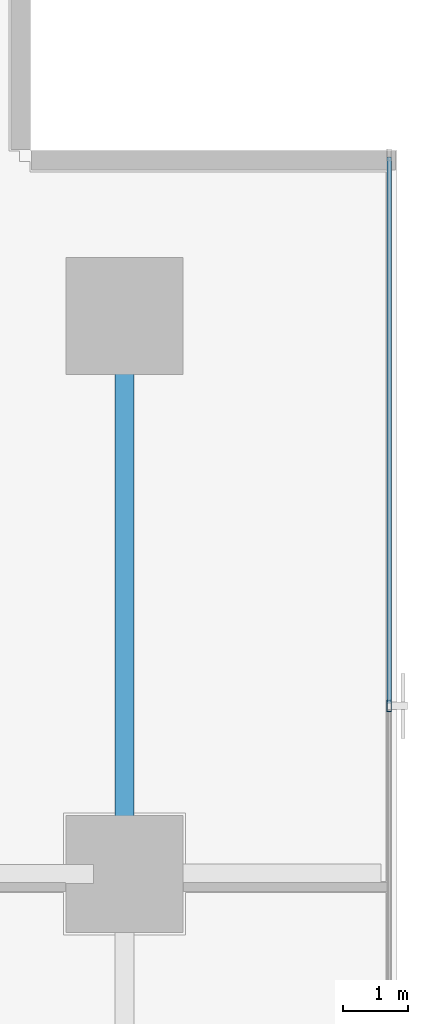
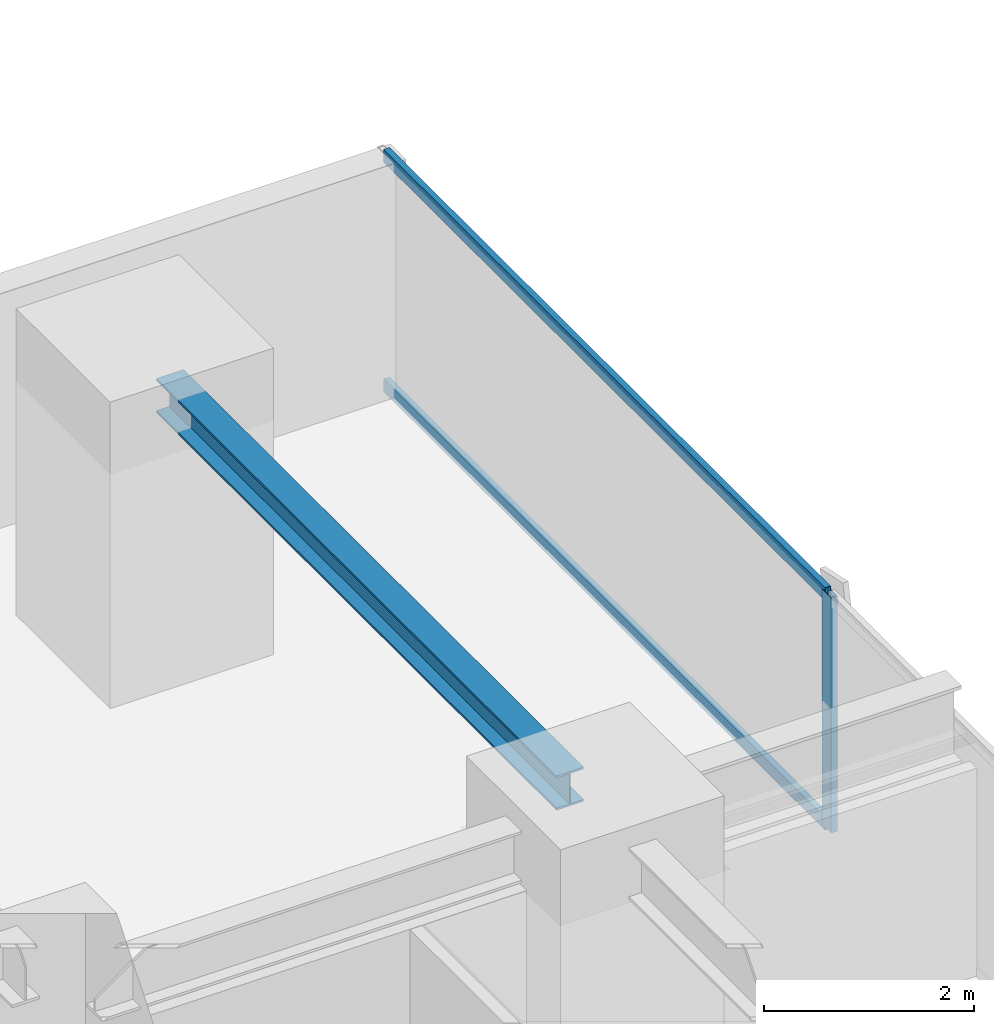
# One storey, part 21 of 34: 3 members, 1 beam, 1 element without a shape of its own.
"""IFC4 building model written with IfcOpenShell, lengths in metres."""

from ifc_helpers import new_model, si_unit, direction, frame, origin, origin_2d, place, context, subcontext, project, spatial, hollow_rectangle, i_section, extrude, source, transform, mapped, material, layer, layer_set, material_profile, profile_set, type_object, element, aggregate, save


model = new_model("IFC4")

# Units and contexts
model_context = context("Model", 3, precision=1e-05, world=origin(), true_north=direction((0.0, 1.0)))
body_context = subcontext(model_context, "Body", "Model", "MODEL_VIEW")
ifc_project = project(units=[si_unit("LENGTHUNIT", "METRE"), si_unit("AREAUNIT", "SQUARE_METRE"), si_unit("VOLUMEUNIT", "CUBIC_METRE"), si_unit("PLANEANGLEUNIT", "RADIAN"), si_unit("MASSUNIT", "GRAM", prefix="KILO")], contexts=[model_context])

# Site, building, storey
site_placement = place(None, origin())
site = spatial("IfcSite", under=ifc_project, at=site_placement, CompositionType="ELEMENT")
building_placement = place(site_placement, origin())
building = spatial("IfcBuilding", under=site, at=building_placement, Name="Sumidabori Civic Tower", CompositionType="ELEMENT")
storey_placement = place(building_placement, frame((0.0, 0.0, 34.39990234375)))
storey = spatial("IfcBuildingStorey", under=building, at=storey_placement, Name="L08", CompositionType="ELEMENT", Elevation=34.39990234375)

# Beam
ifc_material_1 = material(Name="Steel SN490", Category="steel")
ifc_material_profile_1 = material_profile(ifc_material_1, i_section(OverallWidth=0.300048828125, OverallDepth=0.39990234375, WebThickness=0.013427734375, FlangeThickness=0.02392578125, at=origin_2d()), Name="HE 400 B")
ifc_profile_set_1 = profile_set([ifc_material_profile_1], Name="Steel SN490")
beam_type = type_object("IfcBeamType", Name="BM-GIRD-400", PredefinedType="BEAM", material=ifc_profile_set_1)
shared_shape_1 = source(origin(), body_context, "Body", "SweptSolid", [
    extrude(i_section(OverallWidth=0.300048828125, OverallDepth=0.39990234375, WebThickness=0.013427734375, FlangeThickness=0.02392578125, at=origin_2d()), origin(), (0.0, 0.0, 1.0), 7.64013671875),
])
beam_placement = place(storey_placement, frame((22.800048828125, 10.679931640625, 3.16015625), z_axis=(0.0, 1.0, 0.0), x_axis=(-1.0, 0.0, 0.0)))
element("IfcBeam", 1, at=beam_placement, inside=storey, type_object=beam_type, Name="Primary Girder L08 GY-42", PredefinedType="BEAM", context=body_context, shape_type="MappedRepresentation", body=[
    mapped(shared_shape_1, transform((0.0, 0.0, 0.0), x_axis=(1.0, 0.0, 0.0), y_axis=(0.0, 1.0, 0.0), z_axis=(0.0, 0.0, 1.0), scale=1.0)),
])

# Curtain wall, members
ifc_material_2 = material(Name="Anodised Bronze Aluminium AW-6063-T6", Category="aluminium")
ifc_layer = layer(ifc_material_2, 0.179931640625, Name="Anodised Bronze Aluminium AW-6063-T6")
ifc_layer_set = layer_set([ifc_layer], Name="Anodised Bronze Aluminium AW-6063-T6")
curtain_wall_type = type_object("IfcCurtainWallType", Name="CW-SYS-2", PredefinedType="NOTDEFINED", material=ifc_layer_set)
curtain_wall_placement = place(storey_placement, origin())
curtain_wall = element("IfcCurtainWall", 2, at=curtain_wall_placement, inside=storey, type_object=curtain_wall_type, Name="Curtain Wall CW:L08:R04", PredefinedType="NOTDEFINED")
ifc_material_profile_2 = material_profile(ifc_material_2, hollow_rectangle(XDim=0.070068359375, YDim=0.179931640625, WallThickness=0.006103515625, at=origin_2d()), Name="ALU MULLION 180x70")
ifc_profile_set_2 = profile_set([ifc_material_profile_2], Name="Anodised Bronze Aluminium AW-6063-T6")
member_type_1 = type_object("IfcMemberType", Name="CW-MUL-180", PredefinedType="MULLION", material=ifc_profile_set_2)
shared_shape_2 = source(origin(), body_context, "Body", "SweptSolid", [
    extrude(hollow_rectangle(XDim=0.070068359375, YDim=0.179931640625, WallThickness=0.006103515625, at=origin_2d()), origin(), (0.0, 0.0, 1.0), 2.739990234375),
])
member_1_placement = place(storey_placement, frame((26.8798828125, 12.7919921875, 0.0), z_axis=(0.0, 0.0, 1.0), x_axis=(-1.0, 0.0, 0.0)))
member_1 = element("IfcMember", 3, at=member_1_placement, type_object=member_type_1, Name="CW-2 mullion 5", PredefinedType="MULLION", context=body_context, shape_type="MappedRepresentation", body=[
    mapped(shared_shape_2, transform((0.0, 0.0, 0.0), x_axis=(1.0, 0.0, 0.0), y_axis=(0.0, 1.0, 0.0), z_axis=(0.0, 0.0, 1.0), scale=1.0)),
])
ifc_material_profile_3 = material_profile(ifc_material_2, hollow_rectangle(XDim=0.06494140625, YDim=0.14990234375, WallThickness=0.0048828125, at=origin_2d()), Name="ALU TRANSOM 150x65")
ifc_profile_set_3 = profile_set([ifc_material_profile_3], Name="Anodised Bronze Aluminium AW-6063-T6")
member_type_2 = type_object("IfcMemberType", Name="CW-TRN-150", PredefinedType="USERDEFINED", material=ifc_profile_set_3)
shared_shape_3 = source(origin(), body_context, "Body", "SweptSolid", [
    extrude(hollow_rectangle(XDim=0.06494140625, YDim=0.14990234375, WallThickness=0.0048828125, at=origin_2d()), origin(), (0.0, 0.0, 1.0), 8.423095703125),
])
member_2_placement = place(storey_placement, frame((26.8798828125, 12.826904296875, 0.03271484375), z_axis=(0.0, 1.0, 0.0), x_axis=(-1.0, 0.0, 0.0)))
member_2 = element("IfcMember", 4, at=member_2_placement, type_object=member_type_2, Name="CW-2 transom 5.1", ObjectType="TRANSOM", PredefinedType="USERDEFINED", context=body_context, shape_type="MappedRepresentation", body=[
    mapped(shared_shape_3, transform((0.0, 0.0, 0.0), x_axis=(1.0, 0.0, 0.0), y_axis=(0.0, 1.0, 0.0), z_axis=(0.0, 0.0, 1.0), scale=1.0)),
])
member_3_placement = place(storey_placement, frame((26.8798828125, 12.826904296875, 2.70751953125), z_axis=(0.0, 1.0, 0.0), x_axis=(-1.0, 0.0, 0.0)))
member_3 = element("IfcMember", 5, at=member_3_placement, type_object=member_type_2, Name="CW-2 transom 5.2", ObjectType="TRANSOM", PredefinedType="USERDEFINED", context=body_context, shape_type="MappedRepresentation", body=[
    mapped(shared_shape_3, transform((0.0, 0.0, 0.0), x_axis=(1.0, 0.0, 0.0), y_axis=(0.0, 1.0, 0.0), z_axis=(0.0, 0.0, 1.0), scale=1.0)),
])
aggregate(curtain_wall, [member_1, member_2, member_3])

save(model, "model.ifc")
